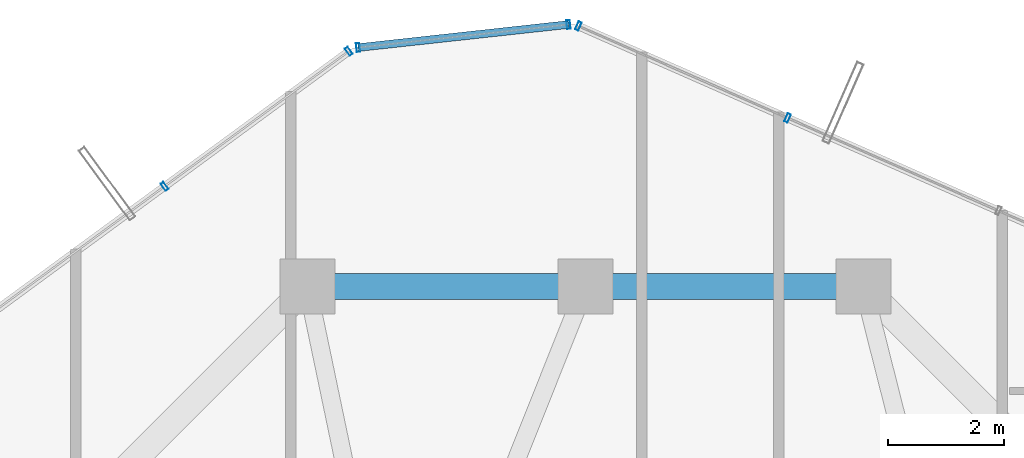
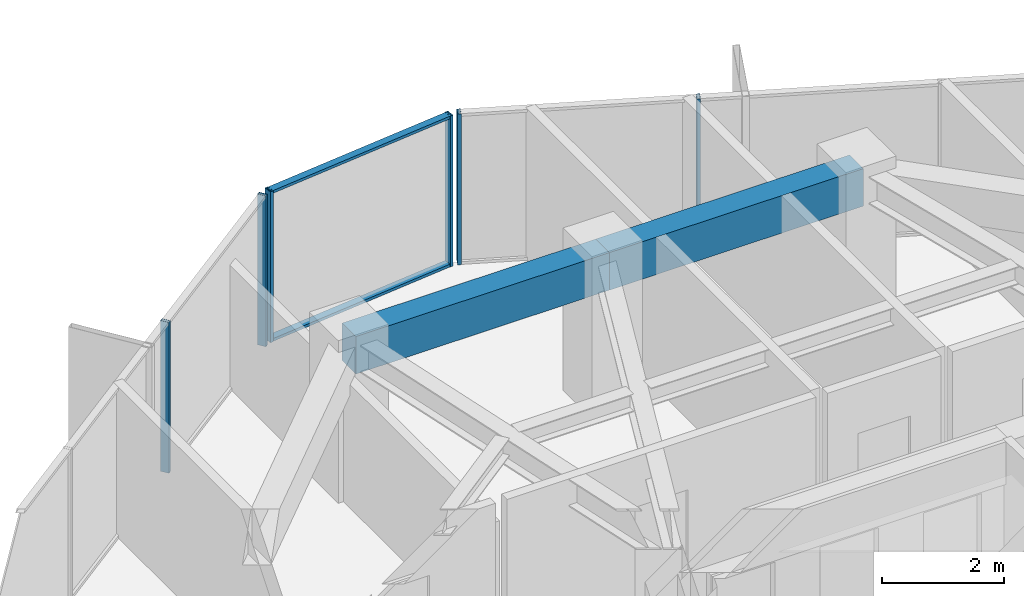
# One storey, part 23 of 32: 8 members, 2 beams, 3 elements without a shape of their own.
"""IFC4 building model written with IfcOpenShell, lengths in metres."""

from ifc_helpers import new_model, si_unit, direction, frame, origin, origin_2d, place, context, subcontext, project, spatial, rectangle, hollow_rectangle, extrude, source, transform, mapped, material, layer, layer_set, material_profile, profile_set, type_object, element, aggregate, save


model = new_model("IFC4")

# Units and contexts
model_context = context("Model", 3, precision=1e-05, world=origin(), true_north=direction((0.0, 1.0)))
body_context = subcontext(model_context, "Body", "Model", "MODEL_VIEW")
ifc_project = project(units=[si_unit("LENGTHUNIT", "METRE"), si_unit("AREAUNIT", "SQUARE_METRE"), si_unit("VOLUMEUNIT", "CUBIC_METRE"), si_unit("PLANEANGLEUNIT", "RADIAN"), si_unit("MASSUNIT", "GRAM", prefix="KILO")], contexts=[model_context])

# Site, building, storey
site_placement = place(None, origin())
site = spatial("IfcSite", under=ifc_project, at=site_placement, CompositionType="ELEMENT")
building_placement = place(site_placement, origin())
building = spatial("IfcBuilding", under=site, at=building_placement, Name="Veraguas Prism Commons", CompositionType="ELEMENT")
storey_placement = place(building_placement, frame((0.0, 0.0, 185.35009765625)))
storey = spatial("IfcBuildingStorey", under=building, at=storey_placement, Name="L52", CompositionType="ELEMENT", Elevation=185.35009765625)

# Beams
ifc_material_1 = material(Name="Concrete C50/60", Category="concrete")
ifc_material_profile_1 = material_profile(ifc_material_1, rectangle(XDim=0.449951171875, YDim=0.75, at=origin_2d()), Name="RC450X750")
ifc_profile_set_1 = profile_set([ifc_material_profile_1], Name="Concrete C50/60")
beam_type = type_object("IfcBeamType", Name="Perimeter Spandrel Upper RC 450x750", PredefinedType="SPANDREL", material=ifc_profile_set_1)
for number, where, z_axis, x_axis, name in (
    (1, (28.800048828125, 38.89990234375, 2.639892578125), (-1.0, 0.0, 0.0), (0.0, -1.0, 0.0), "Perimeter Spandrel Beam L52-SP04"),
    (2, (24.0, 38.89990234375, 2.639892578125), (-1.0, 0.0, 0.0), (0.0, -1.0, 0.0), "Perimeter Spandrel Beam L52-SP05"),
):
    element("IfcBeam", number, at=place(storey_placement, frame(where, z_axis=z_axis, x_axis=x_axis)), inside=storey, type_object=beam_type, Name=name, PredefinedType="SPANDREL", context=body_context, shape_type="SweptSolid", body=[
        extrude(rectangle(XDim=0.449951171875, YDim=0.75, at=origin_2d()), origin(), (0.0, 0.0, 1.0), 4.800048828125),
    ])

# Curtain wall, members
ifc_material_2 = material(Name="Anodised aluminium EN AW-6063 T6", Category="aluminium")
ifc_layer = layer(ifc_material_2, 0.14990234375, Name="Unitised Flush Curtain Wall Zone 3", Category="aluminium")
ifc_layer_set = layer_set([ifc_layer], Name="Anodised aluminium EN AW-6063 T6")
curtain_wall_type = type_object("IfcCurtainWallType", Name="Unitised Flush Curtain Wall Zone 3", PredefinedType="NOTDEFINED", material=ifc_layer_set)
curtain_wall_1_placement = place(storey_placement, origin())
curtain_wall_1 = element("IfcCurtainWall", 3, at=curtain_wall_1_placement, inside=storey, type_object=curtain_wall_type, Name="Tower Facade Curtain Wall L52-F1", PredefinedType="NOTDEFINED")
ifc_material_profile_2 = material_profile(ifc_material_2, hollow_rectangle(XDim=0.06005859375, YDim=0.14990234375, WallThickness=0.0029296875, at=origin_2d()), Name="AL60X150X3")
ifc_profile_set_2 = profile_set([ifc_material_profile_2], Name="Anodised aluminium EN AW-6063 T6")
member_type_1 = type_object("IfcMemberType", Name="Curtain Wall Mullion Upper AL 60x150x3", PredefinedType="MULLION", material=ifc_profile_set_2)
shared_shape_1 = source(origin(), body_context, "Body", "SweptSolid", [
    extrude(hollow_rectangle(XDim=0.06005859375, YDim=0.14990234375, WallThickness=0.0029296875, at=origin_2d()), origin(), (0.0, 0.0, 1.0), 3.014892578125),
])
member_1_placement = place(storey_placement, frame((27.49072265625, 41.81201171875, 0.0), z_axis=(0.0, 0.0, 1.0), x_axis=(-0.915384568301, 0.402580541155, 0.0)))
member_1 = element("IfcMember", 4, at=member_1_placement, type_object=member_type_1, Name="CW-Z3 Mullion 4", PredefinedType="MULLION", context=body_context, shape_type="MappedRepresentation", body=[
    mapped(shared_shape_1, transform((0.0, 0.0, 0.0), scale=1.0)),
])
member_2_placement = place(storey_placement, frame((23.87890625, 43.400634765625, 0.0), z_axis=(0.0, 0.0, 1.0), x_axis=(-0.915384568301, 0.402580541155, 0.0)))
member_2 = element("IfcMember", 5, at=member_2_placement, type_object=member_type_1, Name="CW-Z3 Mullion 5", PredefinedType="MULLION", context=body_context, shape_type="MappedRepresentation", body=[
    mapped(shared_shape_1, transform((0.0, 0.0, 0.0), scale=1.0)),
])
aggregate(curtain_wall_1, [member_1, member_2])

curtain_wall_2_placement = place(storey_placement, origin())
curtain_wall_2 = element("IfcCurtainWall", 6, at=curtain_wall_2_placement, inside=storey, type_object=curtain_wall_type, Name="Tower Facade Curtain Wall L52-F2", PredefinedType="NOTDEFINED")
member_3_placement = place(storey_placement, frame((19.91259765625, 42.965576171875, 0.0), z_axis=(0.0, 0.0, 1.0), x_axis=(-0.806341388983, -0.591450390493, 0.0)))
member_3 = element("IfcMember", 7, at=member_3_placement, type_object=member_type_1, Name="CW-Z3 Mullion 1", PredefinedType="MULLION", context=body_context, shape_type="MappedRepresentation", body=[
    mapped(shared_shape_1, transform((0.0, 0.0, 0.0), scale=1.0)),
])
member_4_placement = place(storey_placement, frame((16.73095703125, 40.6318359375, 0.0), z_axis=(0.0, 0.0, 1.0), x_axis=(-0.806341388983, -0.591450390493, 0.0)))
member_4 = element("IfcMember", 8, at=member_4_placement, type_object=member_type_1, Name="CW-Z3 Mullion 2", PredefinedType="MULLION", context=body_context, shape_type="MappedRepresentation", body=[
    mapped(shared_shape_1, transform((0.0, 0.0, 0.0), scale=1.0)),
])
aggregate(curtain_wall_2, [member_3, member_4])

curtain_wall_3_placement = place(storey_placement, origin())
curtain_wall_3 = element("IfcCurtainWall", 9, at=curtain_wall_3_placement, inside=storey, type_object=curtain_wall_type, Name="Chamfer Curtain Wall L52-C2", PredefinedType="NOTDEFINED")
member_5_placement = place(storey_placement, frame((23.707275390625, 43.427001953125, 0.0), z_axis=(0.0, 0.0, 1.0), x_axis=(-0.994035038274, -0.109061187799, 0.0)))
member_5 = element("IfcMember", 10, at=member_5_placement, type_object=member_type_1, Name="CW-Z3 Mullion 1", PredefinedType="MULLION", context=body_context, shape_type="MappedRepresentation", body=[
    mapped(shared_shape_1, transform((0.0, 0.0, 0.0), scale=1.0)),
])
member_6_placement = place(storey_placement, frame((20.074462890625, 43.028564453125, 0.0), z_axis=(0.0, 0.0, 1.0), x_axis=(-0.994035038274, -0.109061187799, 0.0)))
member_6 = element("IfcMember", 11, at=member_6_placement, type_object=member_type_1, Name="CW-Z3 Mullion 2", PredefinedType="MULLION", context=body_context, shape_type="MappedRepresentation", body=[
    mapped(shared_shape_1, transform((0.0, 0.0, 0.0), scale=1.0)),
])
ifc_material_profile_3 = material_profile(ifc_material_2, hollow_rectangle(XDim=0.054931640625, YDim=0.135009765625, WallThickness=0.0029296875, at=origin_2d()), Name="AL55X135X3")
ifc_profile_set_3 = profile_set([ifc_material_profile_3], Name="Anodised aluminium EN AW-6063 T6")
member_type_2 = type_object("IfcMemberType", Name="Curtain Wall Transom Standard AL 55x135x3", PredefinedType="USERDEFINED", material=ifc_profile_set_3)
shared_shape_2 = source(origin(), body_context, "Body", "SweptSolid", [
    extrude(hollow_rectangle(XDim=0.054931640625, YDim=0.135009765625, WallThickness=0.0029296875, at=origin_2d()), origin(), (0.0, 0.0, 1.0), 3.654541015625),
])
member_7_placement = place(storey_placement, frame((23.707275390625, 43.427001953125, 0.02734375), z_axis=(-0.994039156108, -0.10902364938, 0.0), x_axis=(0.0, 0.0, 1.0)))
member_7 = element("IfcMember", 12, at=member_7_placement, type_object=member_type_2, Name="CW-Z3 Transom 1", ObjectType="TRANSOM", PredefinedType="USERDEFINED", context=body_context, shape_type="MappedRepresentation", body=[
    mapped(shared_shape_2, transform((0.0, 0.0, 0.0), scale=1.0)),
])
member_8_placement = place(storey_placement, frame((23.707275390625, 43.427001953125, 2.9873046875), z_axis=(-0.994039156108, -0.10902364938, 0.0), x_axis=(0.0, 0.0, 1.0)))
member_8 = element("IfcMember", 13, at=member_8_placement, type_object=member_type_2, Name="CW-Z3 Transom 2", ObjectType="TRANSOM", PredefinedType="USERDEFINED", context=body_context, shape_type="MappedRepresentation", body=[
    mapped(shared_shape_2, transform((0.0, 0.0, 0.0), scale=1.0)),
])
aggregate(curtain_wall_3, [member_5, member_6, member_7, member_8])

save(model, "model.ifc")
